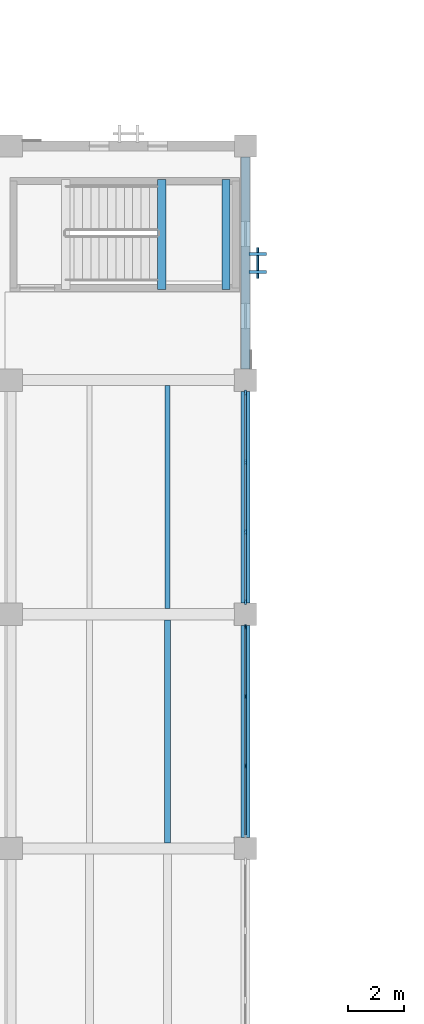
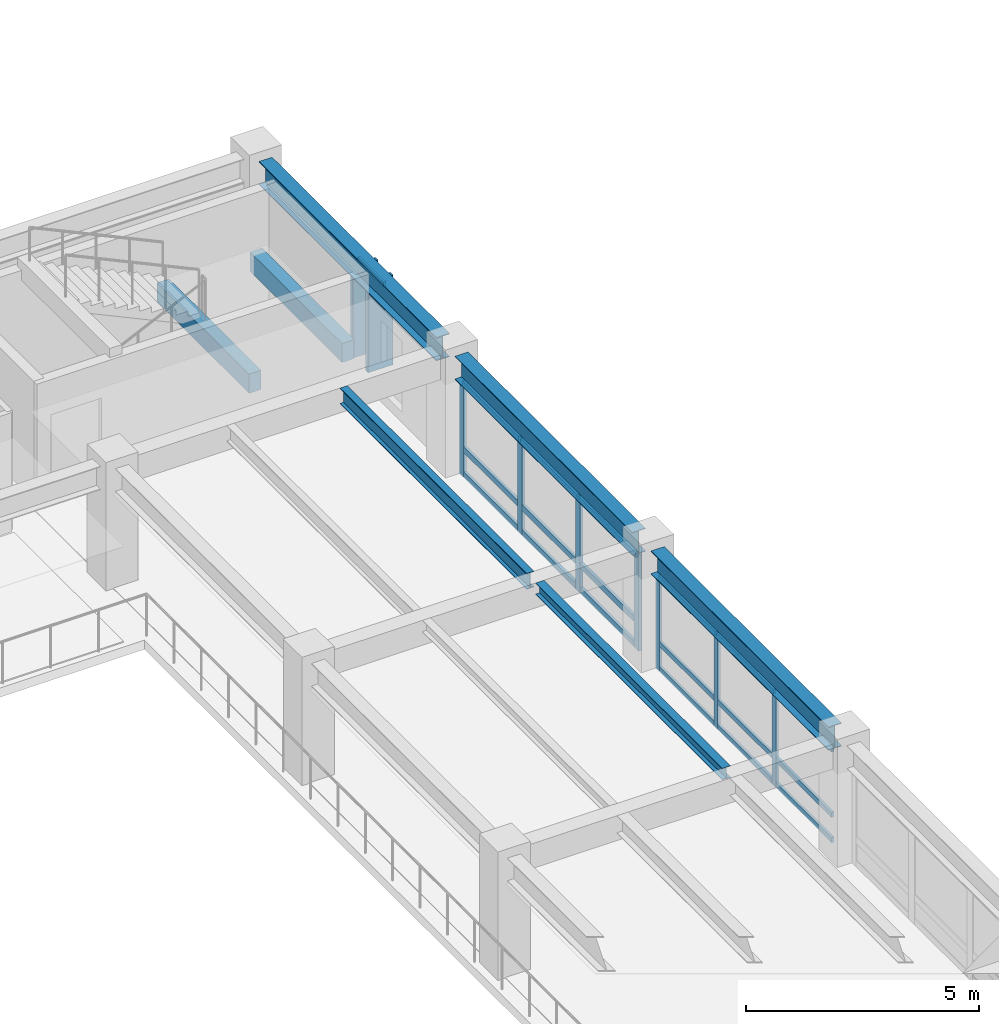
# One storey, part 14 of 111: 28 members, 7 beams, 3 elements without a shape of their own.
"""IFC4 building model written with IfcOpenShell, lengths in metres."""

from ifc_helpers import new_model, si_unit, direction, frame, origin, origin_2d, place, context, subcontext, project, spatial, rectangle, i_section, extrude, material, material_profile, profile_set, type_object, element, aggregate, save


model = new_model("IFC4")

# Units and contexts
model_context = context("Model", 3, precision=1e-05, world=origin(), true_north=direction((0.0, 1.0)))
body_context = subcontext(model_context, "Body", "Model", "MODEL_VIEW")
ifc_project = project(units=[si_unit("LENGTHUNIT", "METRE"), si_unit("AREAUNIT", "SQUARE_METRE"), si_unit("VOLUMEUNIT", "CUBIC_METRE"), si_unit("PLANEANGLEUNIT", "RADIAN"), si_unit("MASSUNIT", "GRAM", prefix="KILO")], contexts=[model_context])

# Site, building, storey
site_placement = place(None, origin())
site = spatial("IfcSite", under=ifc_project, at=site_placement, CompositionType="ELEMENT")
building_placement = place(site_placement, origin())
building = spatial("IfcBuilding", under=site, at=building_placement, Name="Cumbredor Promenade Congress Hotel", CompositionType="ELEMENT")
storey_placement = place(building_placement, frame((0.0, 0.0, 15.1201171875)))
storey = spatial("IfcBuildingStorey", under=building, at=storey_placement, Name="L04", CompositionType="ELEMENT", Elevation=15.1201171875)

# Curtain wall, members
ifc_material_1 = material(Name="Thermally broken anodized aluminium and low-E glass", Category="aluminium")
curtain_wall_type_1 = type_object("IfcCurtainWallType", Name="Unitised Bronze Curtain Wall CW-01", PredefinedType="NOTDEFINED", material=ifc_material_1)
curtain_wall_1_placement = place(storey_placement, origin())
curtain_wall_1 = element("IfcCurtainWall", 1, at=curtain_wall_1_placement, inside=storey, type_object=curtain_wall_type_1, Name="L04 Plenary Congress Hall East Curtain Wall 5", PredefinedType="NOTDEFINED")
ifc_material_2 = material(Name="Thermally broken anodized aluminium", Category="aluminium")
ifc_material_profile_1 = material_profile(ifc_material_2, rectangle(XDim=0.06494140625, YDim=0.159912109375, at=origin_2d()), Name="ALU MULLION 65x160")
ifc_profile_set_1 = profile_set([ifc_material_profile_1], Name="Thermally broken anodized aluminium")
member_type_1 = type_object("IfcMemberType", Name="Curtain Wall Mullion ML-01", PredefinedType="MULLION", material=ifc_profile_set_1)
member_1_placement = place(storey_placement, frame((67.199951171875, 44.95166015625, -0.008056640625), z_axis=(0.0, 0.0, 1.0), x_axis=(1.0, 0.0, 0.0)))
member_1 = element("IfcMember", 2, at=member_1_placement, type_object=member_type_1, Name="L04 Plenary Congress Hall East Curtain Wall 5 Mullion 2", PredefinedType="MULLION", context=body_context, shape_type="SweptSolid", body=[
    extrude(rectangle(XDim=0.06494140625, YDim=0.159912109375, at=origin_2d()), origin(), (0.0, 0.0, 1.0), 2.510009765625),
])
member_2_placement = place(storey_placement, frame((67.199951171875, 47.4482421875, -0.008056640625), z_axis=(0.0, 0.0, 1.0), x_axis=(1.0, 0.0, 0.0)))
member_2 = element("IfcMember", 3, at=member_2_placement, type_object=member_type_1, Name="L04 Plenary Congress Hall East Curtain Wall 5 Mullion 3", PredefinedType="MULLION", context=body_context, shape_type="SweptSolid", body=[
    extrude(rectangle(XDim=0.06494140625, YDim=0.159912109375, at=origin_2d()), origin(), (0.0, 0.0, 1.0), 2.510009765625),
])
member_3_placement = place(storey_placement, frame((67.199951171875, 49.945068359375, -0.008056640625), z_axis=(0.0, 0.0, 1.0), x_axis=(1.0, 0.0, 0.0)))
member_3 = element("IfcMember", 4, at=member_3_placement, type_object=member_type_1, Name="L04 Plenary Congress Hall East Curtain Wall 5 Mullion 4", PredefinedType="MULLION", context=body_context, shape_type="SweptSolid", body=[
    extrude(rectangle(XDim=0.06494140625, YDim=0.159912109375, at=origin_2d()), origin(), (0.0, 0.0, 1.0), 2.510009765625),
])

curtain_wall_2_placement = place(storey_placement, origin())
curtain_wall_2 = element("IfcCurtainWall", 5, at=curtain_wall_2_placement, inside=storey, type_object=curtain_wall_type_1, Name="L04 Plenary Congress Hall East Curtain Wall 6", PredefinedType="NOTDEFINED")
ifc_material_profile_2 = material_profile(ifc_material_2, rectangle(XDim=0.074951171875, YDim=0.199951171875, at=origin_2d()), Name="ALU MULLION 75x200")
ifc_profile_set_2 = profile_set([ifc_material_profile_2], Name="Thermally broken anodized aluminium")
member_type_2 = type_object("IfcMemberType", Name="Curtain Wall Mullion ML-02", PredefinedType="MULLION", material=ifc_profile_set_2)
member_4_placement = place(storey_placement, frame((67.199951171875, 50.85498046875, -0.008056640625), z_axis=(0.0, 0.0, 1.0), x_axis=(1.0, 0.0, 0.0)))
member_4 = element("IfcMember", 6, at=member_4_placement, type_object=member_type_2, Name="L04 Plenary Congress Hall East Curtain Wall 6 Mullion 1", PredefinedType="MULLION", context=body_context, shape_type="SweptSolid", body=[
    extrude(rectangle(XDim=0.074951171875, YDim=0.199951171875, at=origin_2d()), origin(), (0.0, 0.0, 1.0), 2.510009765625),
])
member_5_placement = place(storey_placement, frame((67.199951171875, 53.351806640625, -0.008056640625), z_axis=(0.0, 0.0, 1.0), x_axis=(1.0, 0.0, 0.0)))
member_5 = element("IfcMember", 7, at=member_5_placement, type_object=member_type_2, Name="L04 Plenary Congress Hall East Curtain Wall 6 Mullion 2", PredefinedType="MULLION", context=body_context, shape_type="SweptSolid", body=[
    extrude(rectangle(XDim=0.074951171875, YDim=0.199951171875, at=origin_2d()), origin(), (0.0, 0.0, 1.0), 2.510009765625),
])
member_6_placement = place(storey_placement, frame((67.199951171875, 55.848388671875, -0.008056640625), z_axis=(0.0, 0.0, 1.0), x_axis=(1.0, 0.0, 0.0)))
member_6 = element("IfcMember", 8, at=member_6_placement, type_object=member_type_2, Name="L04 Plenary Congress Hall East Curtain Wall 6 Mullion 3", PredefinedType="MULLION", context=body_context, shape_type="SweptSolid", body=[
    extrude(rectangle(XDim=0.074951171875, YDim=0.199951171875, at=origin_2d()), origin(), (0.0, 0.0, 1.0), 2.510009765625),
])
member_7_placement = place(storey_placement, frame((67.199951171875, 58.344970703125, -0.008056640625), z_axis=(0.0, 0.0, 1.0), x_axis=(1.0, 0.0, 0.0)))
member_7 = element("IfcMember", 9, at=member_7_placement, type_object=member_type_2, Name="L04 Plenary Congress Hall East Curtain Wall 6 Mullion 4", PredefinedType="MULLION", context=body_context, shape_type="SweptSolid", body=[
    extrude(rectangle(XDim=0.074951171875, YDim=0.199951171875, at=origin_2d()), origin(), (0.0, 0.0, 1.0), 2.510009765625),
])

# Member
ifc_material_profile_3 = material_profile(ifc_material_2, rectangle(XDim=0.06494140625, YDim=0.1298828125, at=origin_2d()), Name="ALU TRANSOM 65x130")
ifc_profile_set_3 = profile_set([ifc_material_profile_3], Name="Thermally broken anodized aluminium")
member_type_3 = type_object("IfcMemberType", Name="Curtain Wall Transom TR-01", PredefinedType="USERDEFINED", material=ifc_profile_set_3)
member_8_placement = place(storey_placement, frame((67.199951171875, 42.487548828125, 0.059814453125), z_axis=(0.0, 1.0, 0.0), x_axis=(-1.0, 0.0, 0.0)))
member_8 = element("IfcMember", 10, at=member_8_placement, type_object=member_type_3, Name="L04 Plenary Congress Hall East Curtain Wall 5 Transom 1.1", ObjectType="TRANSOM", PredefinedType="USERDEFINED", context=body_context, shape_type="SweptSolid", body=[
    extrude(rectangle(XDim=0.06494140625, YDim=0.1298828125, at=origin_2d()), origin(), (0.0, 0.0, 1.0), 2.431640625),
])

member_9_placement = place(storey_placement, frame((67.199951171875, 42.487548828125, 0.719970703125), z_axis=(0.0, 1.0, 0.0), x_axis=(-1.0, 0.0, 0.0)))
member_9 = element("IfcMember", 11, at=member_9_placement, type_object=member_type_3, Name="L04 Plenary Congress Hall East Curtain Wall 5 Transom 1.2", ObjectType="TRANSOM", PredefinedType="USERDEFINED", context=body_context, shape_type="SweptSolid", body=[
    extrude(rectangle(XDim=0.06494140625, YDim=0.1298828125, at=origin_2d()), origin(), (0.0, 0.0, 1.0), 2.431640625),
])

member_10_placement = place(storey_placement, frame((67.199951171875, 42.487548828125, 2.429931640625), z_axis=(0.0, 1.0, 0.0), x_axis=(-1.0, 0.0, 0.0)))
member_10 = element("IfcMember", 12, at=member_10_placement, type_object=member_type_3, Name="L04 Plenary Congress Hall East Curtain Wall 5 Transom 1.3", ObjectType="TRANSOM", PredefinedType="USERDEFINED", context=body_context, shape_type="SweptSolid", body=[
    extrude(rectangle(XDim=0.06494140625, YDim=0.1298828125, at=origin_2d()), origin(), (0.0, 0.0, 1.0), 2.431640625),
])

member_11_placement = place(storey_placement, frame((67.199951171875, 44.984130859375, 0.059814453125), z_axis=(0.0, 1.0, 0.0), x_axis=(-1.0, 0.0, 0.0)))
member_11 = element("IfcMember", 13, at=member_11_placement, type_object=member_type_3, Name="L04 Plenary Congress Hall East Curtain Wall 5 Transom 2.1", ObjectType="TRANSOM", PredefinedType="USERDEFINED", context=body_context, shape_type="SweptSolid", body=[
    extrude(rectangle(XDim=0.06494140625, YDim=0.1298828125, at=origin_2d()), origin(), (0.0, 0.0, 1.0), 2.431640625),
])

member_12_placement = place(storey_placement, frame((67.199951171875, 44.984130859375, 0.719970703125), z_axis=(0.0, 1.0, 0.0), x_axis=(-1.0, 0.0, 0.0)))
member_12 = element("IfcMember", 14, at=member_12_placement, type_object=member_type_3, Name="L04 Plenary Congress Hall East Curtain Wall 5 Transom 2.2", ObjectType="TRANSOM", PredefinedType="USERDEFINED", context=body_context, shape_type="SweptSolid", body=[
    extrude(rectangle(XDim=0.06494140625, YDim=0.1298828125, at=origin_2d()), origin(), (0.0, 0.0, 1.0), 2.431640625),
])

member_13_placement = place(storey_placement, frame((67.199951171875, 44.984130859375, 2.429931640625), z_axis=(0.0, 1.0, 0.0), x_axis=(-1.0, 0.0, 0.0)))
member_13 = element("IfcMember", 15, at=member_13_placement, type_object=member_type_3, Name="L04 Plenary Congress Hall East Curtain Wall 5 Transom 2.3", ObjectType="TRANSOM", PredefinedType="USERDEFINED", context=body_context, shape_type="SweptSolid", body=[
    extrude(rectangle(XDim=0.06494140625, YDim=0.1298828125, at=origin_2d()), origin(), (0.0, 0.0, 1.0), 2.431640625),
])

member_14_placement = place(storey_placement, frame((67.199951171875, 47.480712890625, 0.059814453125), z_axis=(0.0, 1.0, 0.0), x_axis=(-1.0, 0.0, 0.0)))
member_14 = element("IfcMember", 16, at=member_14_placement, type_object=member_type_3, Name="L04 Plenary Congress Hall East Curtain Wall 5 Transom 3.1", ObjectType="TRANSOM", PredefinedType="USERDEFINED", context=body_context, shape_type="SweptSolid", body=[
    extrude(rectangle(XDim=0.06494140625, YDim=0.1298828125, at=origin_2d()), origin(), (0.0, 0.0, 1.0), 2.431884765625),
])

member_15_placement = place(storey_placement, frame((67.199951171875, 47.480712890625, 0.719970703125), z_axis=(0.0, 1.0, 0.0), x_axis=(-1.0, 0.0, 0.0)))
member_15 = element("IfcMember", 17, at=member_15_placement, type_object=member_type_3, Name="L04 Plenary Congress Hall East Curtain Wall 5 Transom 3.2", ObjectType="TRANSOM", PredefinedType="USERDEFINED", context=body_context, shape_type="SweptSolid", body=[
    extrude(rectangle(XDim=0.06494140625, YDim=0.1298828125, at=origin_2d()), origin(), (0.0, 0.0, 1.0), 2.431884765625),
])

member_16_placement = place(storey_placement, frame((67.199951171875, 47.480712890625, 2.429931640625), z_axis=(0.0, 1.0, 0.0), x_axis=(-1.0, 0.0, 0.0)))
member_16 = element("IfcMember", 18, at=member_16_placement, type_object=member_type_3, Name="L04 Plenary Congress Hall East Curtain Wall 5 Transom 3.3", ObjectType="TRANSOM", PredefinedType="USERDEFINED", context=body_context, shape_type="SweptSolid", body=[
    extrude(rectangle(XDim=0.06494140625, YDim=0.1298828125, at=origin_2d()), origin(), (0.0, 0.0, 1.0), 2.431884765625),
])

aggregate(curtain_wall_1, [member_1, member_2, member_3, member_8, member_9, member_10, member_11, member_12, member_13, member_14, member_15, member_16])

# Curtain wall, member
curtain_wall_type_2 = type_object("IfcCurtainWallType", Name="Solar Brise-Soleil Screen Assembly CW-07", PredefinedType="NOTDEFINED", material=ifc_material_1)
curtain_wall_3_placement = place(storey_placement, origin())
curtain_wall_3 = element("IfcCurtainWall", 19, at=curtain_wall_3_placement, inside=storey, type_object=curtain_wall_type_2, Name="L04 Pier Brise-Soleil Screen 0733", PredefinedType="NOTDEFINED")
member_17_placement = place(storey_placement, frame((67.635009765625, 62.449951171875, 2.333984375), z_axis=(0.0, 1.0, 0.0), x_axis=(-1.0, 0.0, 0.0)))
member_17 = element("IfcMember", 20, at=member_17_placement, type_object=member_type_3, Name="L04 Pier Brise-Soleil Header 0735", ObjectType="TRANSOM", PredefinedType="USERDEFINED", context=body_context, shape_type="SweptSolid", body=[
    extrude(rectangle(XDim=0.06494140625, YDim=0.1298828125, at=origin_2d()), origin(), (0.0, 0.0, 1.0), 1.10009765625),
])

# Member
ifc_material_profile_4 = material_profile(ifc_material_2, rectangle(XDim=0.074951171875, YDim=0.14990234375, at=origin_2d()), Name="ALU TRANSOM 75x150")
ifc_profile_set_4 = profile_set([ifc_material_profile_4], Name="Thermally broken anodized aluminium")
member_type_4 = type_object("IfcMemberType", Name="Curtain Wall Transom TR-02", PredefinedType="USERDEFINED", material=ifc_profile_set_4)
member_18_placement = place(storey_placement, frame((67.199951171875, 50.892578125, 0.06982421875), z_axis=(0.0, 1.0, 0.0), x_axis=(-1.0, 0.0, 0.0)))
member_18 = element("IfcMember", 21, at=member_18_placement, type_object=member_type_4, Name="L04 Plenary Congress Hall East Curtain Wall 6 Transom 1.1", ObjectType="TRANSOM", PredefinedType="USERDEFINED", context=body_context, shape_type="SweptSolid", body=[
    extrude(rectangle(XDim=0.074951171875, YDim=0.14990234375, at=origin_2d()), origin(), (0.0, 0.0, 1.0), 2.421630859375),
])

member_19_placement = place(storey_placement, frame((67.199951171875, 50.892578125, 0.719970703125), z_axis=(0.0, 1.0, 0.0), x_axis=(-1.0, 0.0, 0.0)))
member_19 = element("IfcMember", 22, at=member_19_placement, type_object=member_type_4, Name="L04 Plenary Congress Hall East Curtain Wall 6 Transom 1.2", ObjectType="TRANSOM", PredefinedType="USERDEFINED", context=body_context, shape_type="SweptSolid", body=[
    extrude(rectangle(XDim=0.074951171875, YDim=0.14990234375, at=origin_2d()), origin(), (0.0, 0.0, 1.0), 2.421630859375),
])

member_20_placement = place(storey_placement, frame((67.199951171875, 50.892578125, 2.419921875), z_axis=(0.0, 1.0, 0.0), x_axis=(-1.0, 0.0, 0.0)))
member_20 = element("IfcMember", 23, at=member_20_placement, type_object=member_type_4, Name="L04 Plenary Congress Hall East Curtain Wall 6 Transom 1.3", ObjectType="TRANSOM", PredefinedType="USERDEFINED", context=body_context, shape_type="SweptSolid", body=[
    extrude(rectangle(XDim=0.074951171875, YDim=0.14990234375, at=origin_2d()), origin(), (0.0, 0.0, 1.0), 2.421630859375),
])

member_21_placement = place(storey_placement, frame((67.199951171875, 53.38916015625, 0.06982421875), z_axis=(0.0, 1.0, 0.0), x_axis=(-1.0, 0.0, 0.0)))
member_21 = element("IfcMember", 24, at=member_21_placement, type_object=member_type_4, Name="L04 Plenary Congress Hall East Curtain Wall 6 Transom 2.1", ObjectType="TRANSOM", PredefinedType="USERDEFINED", context=body_context, shape_type="SweptSolid", body=[
    extrude(rectangle(XDim=0.074951171875, YDim=0.14990234375, at=origin_2d()), origin(), (0.0, 0.0, 1.0), 2.421630859375),
])

member_22_placement = place(storey_placement, frame((67.199951171875, 53.38916015625, 0.719970703125), z_axis=(0.0, 1.0, 0.0), x_axis=(-1.0, 0.0, 0.0)))
member_22 = element("IfcMember", 25, at=member_22_placement, type_object=member_type_4, Name="L04 Plenary Congress Hall East Curtain Wall 6 Transom 2.2", ObjectType="TRANSOM", PredefinedType="USERDEFINED", context=body_context, shape_type="SweptSolid", body=[
    extrude(rectangle(XDim=0.074951171875, YDim=0.14990234375, at=origin_2d()), origin(), (0.0, 0.0, 1.0), 2.421630859375),
])

member_23_placement = place(storey_placement, frame((67.199951171875, 53.38916015625, 2.419921875), z_axis=(0.0, 1.0, 0.0), x_axis=(-1.0, 0.0, 0.0)))
member_23 = element("IfcMember", 26, at=member_23_placement, type_object=member_type_4, Name="L04 Plenary Congress Hall East Curtain Wall 6 Transom 2.3", ObjectType="TRANSOM", PredefinedType="USERDEFINED", context=body_context, shape_type="SweptSolid", body=[
    extrude(rectangle(XDim=0.074951171875, YDim=0.14990234375, at=origin_2d()), origin(), (0.0, 0.0, 1.0), 2.421630859375),
])

member_24_placement = place(storey_placement, frame((67.199951171875, 55.8857421875, 0.06982421875), z_axis=(0.0, 1.0, 0.0), x_axis=(-1.0, 0.0, 0.0)))
member_24 = element("IfcMember", 27, at=member_24_placement, type_object=member_type_4, Name="L04 Plenary Congress Hall East Curtain Wall 6 Transom 3.1", ObjectType="TRANSOM", PredefinedType="USERDEFINED", context=body_context, shape_type="SweptSolid", body=[
    extrude(rectangle(XDim=0.074951171875, YDim=0.14990234375, at=origin_2d()), origin(), (0.0, 0.0, 1.0), 2.421875),
])

member_25_placement = place(storey_placement, frame((67.199951171875, 55.8857421875, 0.719970703125), z_axis=(0.0, 1.0, 0.0), x_axis=(-1.0, 0.0, 0.0)))
member_25 = element("IfcMember", 28, at=member_25_placement, type_object=member_type_4, Name="L04 Plenary Congress Hall East Curtain Wall 6 Transom 3.2", ObjectType="TRANSOM", PredefinedType="USERDEFINED", context=body_context, shape_type="SweptSolid", body=[
    extrude(rectangle(XDim=0.074951171875, YDim=0.14990234375, at=origin_2d()), origin(), (0.0, 0.0, 1.0), 2.421875),
])

member_26_placement = place(storey_placement, frame((67.199951171875, 55.8857421875, 2.419921875), z_axis=(0.0, 1.0, 0.0), x_axis=(-1.0, 0.0, 0.0)))
member_26 = element("IfcMember", 29, at=member_26_placement, type_object=member_type_4, Name="L04 Plenary Congress Hall East Curtain Wall 6 Transom 3.3", ObjectType="TRANSOM", PredefinedType="USERDEFINED", context=body_context, shape_type="SweptSolid", body=[
    extrude(rectangle(XDim=0.074951171875, YDim=0.14990234375, at=origin_2d()), origin(), (0.0, 0.0, 1.0), 2.421875),
])

aggregate(curtain_wall_2, [member_4, member_5, member_6, member_7, member_18, member_19, member_20, member_21, member_22, member_23, member_24, member_25, member_26])

# Beams
ifc_material_3 = material(Name="Steel ASTM A992 Grade 50", Category="steel")
ifc_material_profile_5 = material_profile(ifc_material_3, i_section(OverallWidth=0.202880859375, OverallDepth=0.302978515625, WebThickness=0.007568359375, FlangeThickness=0.01318359375, at=origin_2d()), Name="W12X40")
ifc_profile_set_5 = profile_set([ifc_material_profile_5], Name="Steel ASTM A992 Grade 50")
beam_type_1 = type_object("IfcBeamType", Name="JST-W12X40", PredefinedType="JOIST", material=ifc_profile_set_5)
beam_1_placement = place(storey_placement, frame((64.39990234375, 42.199951171875, 2.96826171875), z_axis=(0.0, 1.0, 0.0), x_axis=(-1.0, 0.0, 0.0)))
element("IfcBeam", 30, at=beam_1_placement, inside=storey, type_object=beam_type_1, Name="L05 Secondary Floor Joist 0055", PredefinedType="JOIST", context=body_context, shape_type="SweptSolid", body=[
    extrude(i_section(OverallWidth=0.202880859375, OverallDepth=0.302978515625, WebThickness=0.007568359375, FlangeThickness=0.01318359375, at=origin_2d()), origin(), (0.0, 0.0, 1.0), 8.0),
])
ifc_material_profile_6 = material_profile(ifc_material_3, i_section(OverallWidth=0.180908203125, OverallDepth=0.4169921875, WebThickness=0.010986328125, FlangeThickness=0.018310546875, at=origin_2d()), Name="W16X57")
ifc_profile_set_6 = profile_set([ifc_material_profile_6], Name="Steel ASTM A992 Grade 50")
beam_type_2 = type_object("IfcBeamType", Name="JST-W16X57", PredefinedType="JOIST", material=ifc_profile_set_6)
beam_2_placement = place(storey_placement, frame((64.39990234375, 50.60009765625, 2.911376953125), z_axis=(0.0, 1.0, 0.0), x_axis=(-1.0, 0.0, 0.0)))
element("IfcBeam", 31, at=beam_2_placement, inside=storey, type_object=beam_type_2, Name="L05 Secondary Floor Joist 0057", PredefinedType="JOIST", context=body_context, shape_type="SweptSolid", body=[
    extrude(i_section(OverallWidth=0.180908203125, OverallDepth=0.4169921875, WebThickness=0.010986328125, FlangeThickness=0.018310546875, at=origin_2d()), origin(), (0.0, 0.0, 1.0), 8.0),
])
ifc_material_4 = material(Name="Concrete C40/50", Category="concrete")
ifc_material_profile_7 = material_profile(ifc_material_4, rectangle(XDim=0.300048828125, YDim=0.5, at=origin_2d()), Name="RC LINTEL 300x500")
ifc_profile_set_7 = profile_set([ifc_material_profile_7], Name="Concrete C40/50")
beam_type_3 = type_object("IfcBeamType", Name="LN-RC-300x500", PredefinedType="LINTEL", material=ifc_profile_set_7)
for number, where, z_axis, x_axis, name in (
    (32, (66.5, 62.050048828125, 1.22998046875), (0.0, 1.0, 0.0), (-1.0, 0.0, 0.0), "L04 Stair ST-07 Landing Ledger Beam E"),
    (33, (64.199951171875, 62.050048828125, 1.22998046875), (0.0, 1.0, 0.0), (-1.0, 0.0, 0.0), "L04 Stair ST-07 Landing Ledger Beam W"),
):
    element("IfcBeam", number, at=place(storey_placement, frame(where, z_axis=z_axis, x_axis=x_axis)), inside=storey, type_object=beam_type_3, Name=name, PredefinedType="LINTEL", context=body_context, shape_type="SweptSolid", body=[
        extrude(rectangle(XDim=0.300048828125, YDim=0.5, at=origin_2d()), origin(), (0.0, 0.0, 1.0), 3.949951171875),
    ])
ifc_material_profile_8 = material_profile(ifc_material_3, i_section(OverallWidth=0.323974609375, OverallDepth=0.611083984375, WebThickness=0.0126953125, FlangeThickness=0.01904296875, at=origin_2d()), Name="W24X104")
ifc_profile_set_8 = profile_set([ifc_material_profile_8], Name="Steel ASTM A992 Grade 50")
beam_type_4 = type_object("IfcBeamType", Name="SP-W24X104", PredefinedType="SPANDREL", material=ifc_profile_set_8)
beam_3_placement = place(storey_placement, frame((67.199951171875, 42.39990234375, 2.814453125), z_axis=(0.0, 1.0, 0.0), x_axis=(-1.0, 0.0, 0.0)))
element("IfcBeam", 34, at=beam_3_placement, inside=storey, type_object=beam_type_4, Name="L05 Y-Grid Beam 113", PredefinedType="SPANDREL", context=body_context, shape_type="SweptSolid", body=[
    extrude(i_section(OverallWidth=0.323974609375, OverallDepth=0.611083984375, WebThickness=0.0126953125, FlangeThickness=0.01904296875, at=origin_2d()), origin(), (0.0, 0.0, 1.0), 7.60009765625),
])
beam_4_placement = place(storey_placement, frame((67.199951171875, 50.800048828125, 2.814453125), z_axis=(0.0, 1.0, 0.0), x_axis=(-1.0, 0.0, 0.0)))
element("IfcBeam", 35, at=beam_4_placement, inside=storey, type_object=beam_type_4, Name="L05 Y-Grid Beam 114", PredefinedType="SPANDREL", context=body_context, shape_type="SweptSolid", body=[
    extrude(i_section(OverallWidth=0.323974609375, OverallDepth=0.611083984375, WebThickness=0.0126953125, FlangeThickness=0.01904296875, at=origin_2d()), origin(), (0.0, 0.0, 1.0), 7.599853515625),
])
beam_5_placement = place(storey_placement, frame((67.199951171875, 59.199951171875, 2.814453125), z_axis=(0.0, 1.0, 0.0), x_axis=(-1.0, 0.0, 0.0)))
element("IfcBeam", 36, at=beam_5_placement, inside=storey, type_object=beam_type_4, Name="L05 Y-Grid Beam 115", PredefinedType="SPANDREL", context=body_context, shape_type="SweptSolid", body=[
    extrude(i_section(OverallWidth=0.323974609375, OverallDepth=0.611083984375, WebThickness=0.0126953125, FlangeThickness=0.01904296875, at=origin_2d()), origin(), (0.0, 0.0, 1.0), 7.60009765625),
])

# Member
ifc_material_profile_9 = material_profile(ifc_material_2, rectangle(XDim=0.110107421875, YDim=0.6201171875, at=origin_2d()), Name="ARCH FIN 110x620")
ifc_profile_set_9 = profile_set([ifc_material_profile_9], Name="Thermally broken anodized aluminium")
member_type_5 = type_object("IfcMemberType", Name="Vertical Bronze Brise-Soleil Fin BSF-02 110x620", PredefinedType="USERDEFINED", material=ifc_profile_set_9)
member_27_placement = place(storey_placement, frame((67.635009765625, 62.679931640625, 0.019775390625), z_axis=(0.0, 0.0, 1.0), x_axis=(0.0, 1.0, 0.0)))
member_27 = element("IfcMember", 37, at=member_27_placement, type_object=member_type_5, Name="L04 Pier Brise-Soleil Fin 0734", ObjectType="SOLAR FIN", PredefinedType="USERDEFINED", context=body_context, shape_type="SweptSolid", body=[
    extrude(rectangle(XDim=0.110107421875, YDim=0.6201171875, at=origin_2d()), origin(), (0.0, 0.0, 1.0), 2.35400390625),
])

member_28_placement = place(storey_placement, frame((67.635009765625, 63.320068359375, 0.019775390625), z_axis=(0.0, 0.0, 1.0), x_axis=(0.0, 1.0, 0.0)))
member_28 = element("IfcMember", 38, at=member_28_placement, type_object=member_type_5, Name="L04 Pier Brise-Soleil Fin 0735", ObjectType="SOLAR FIN", PredefinedType="USERDEFINED", context=body_context, shape_type="SweptSolid", body=[
    extrude(rectangle(XDim=0.110107421875, YDim=0.6201171875, at=origin_2d()), origin(), (0.0, 0.0, 1.0), 2.35400390625),
])

aggregate(curtain_wall_3, [member_27, member_28, member_17])

save(model, "model.ifc")
